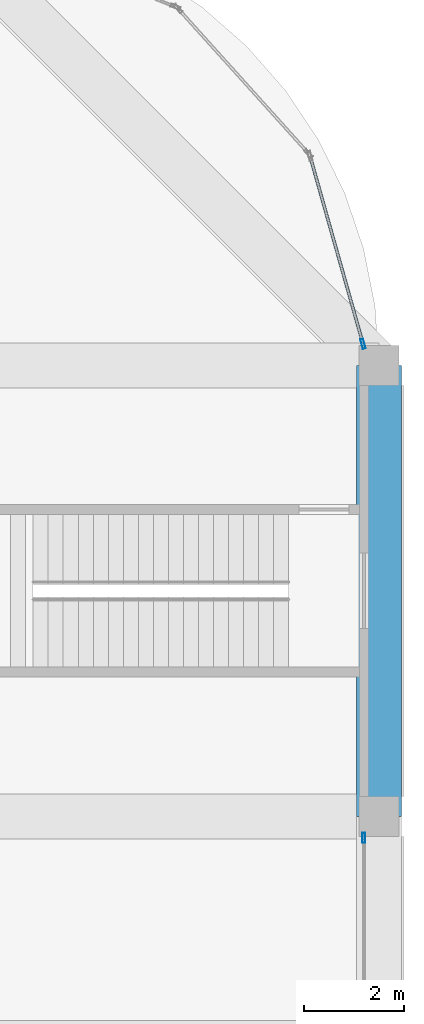
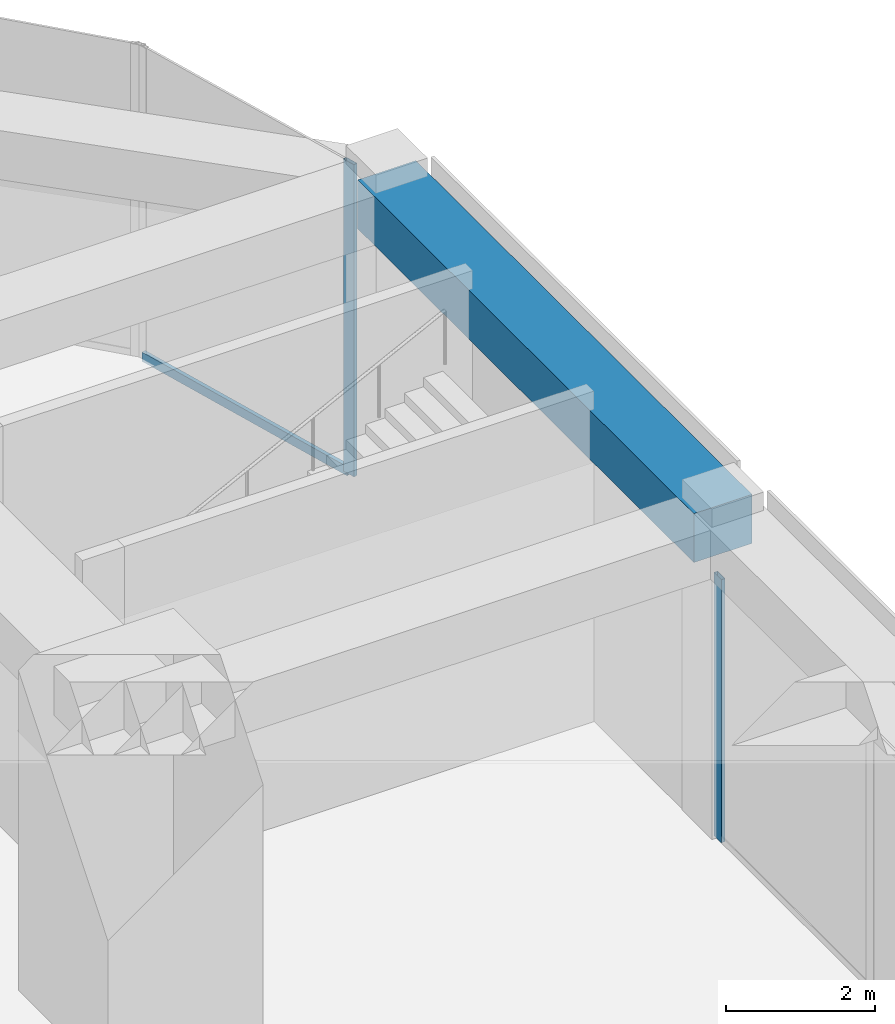
# One storey, part 37 of 45: 3 members, 1 beam, 2 elements without a shape of their own.
"""IFC4 building model written with IfcOpenShell, lengths in metres."""

from ifc_helpers import new_model, si_unit, direction, frame, origin, origin_2d, place, context, subcontext, project, spatial, rectangle, hollow_rectangle, extrude, material, material_profile, profile_set, type_object, element, aggregate, save


model = new_model("IFC4")

# Units and contexts
model_context = context("Model", 3, precision=1e-05, world=origin(), true_north=direction((0.0, 1.0)))
body_context = subcontext(model_context, "Body", "Model", "MODEL_VIEW")
ifc_project = project(units=[si_unit("LENGTHUNIT", "METRE"), si_unit("AREAUNIT", "SQUARE_METRE"), si_unit("VOLUMEUNIT", "CUBIC_METRE"), si_unit("PLANEANGLEUNIT", "RADIAN"), si_unit("MASSUNIT", "GRAM", prefix="KILO")], contexts=[model_context])

# Site, building, storey
site_placement = place(None, origin())
site = spatial("IfcSite", under=ifc_project, at=site_placement, CompositionType="ELEMENT")
building_placement = place(site_placement, origin())
building = spatial("IfcBuilding", under=site, at=building_placement, Name="Zorevar Civic Tower", CompositionType="ELEMENT")
storey_placement = place(building_placement, frame((0.0, 0.0, 5.39990234375)))
storey = spatial("IfcBuildingStorey", under=building, at=storey_placement, Name="L01", CompositionType="ELEMENT", Elevation=5.39990234375)

# Curtain wall, member
ifc_material_1 = material(Name="Dark grey solar-control glass in black aluminium frame", Category="aluminium")
curtain_wall_type = type_object("IfcCurtainWallType", Name="Curtain wall CW1 podium", PredefinedType="NOTDEFINED", material=ifc_material_1)
curtain_wall_1_placement = place(storey_placement, origin())
curtain_wall_1 = element("IfcCurtainWall", 1, at=curtain_wall_1_placement, inside=storey, type_object=curtain_wall_type, Name="CW1 L01", PredefinedType="NOTDEFINED")
ifc_material_2 = material(Name="Aluminium, black anodised", Category="aluminium")
ifc_material_profile_1 = material_profile(ifc_material_2, hollow_rectangle(XDim=0.06005859375, YDim=0.199951171875, WallThickness=0.00390625, at=origin_2d()), Name="AL 200x60x4")
ifc_profile_set_1 = profile_set([ifc_material_profile_1], Name="Aluminium, black anodised")
member_type_1 = type_object("IfcMemberType", Name="CW1 mullion AL 200x60x4", PredefinedType="MULLION", material=ifc_profile_set_1)
member_1_placement = place(storey_placement, frame((71.699951171875, 35.570068359375, 0.0), z_axis=(0.0, 0.0, 1.0), x_axis=(-1.0, 0.0, 0.0)))
member_1 = element("IfcMember", 2, at=member_1_placement, type_object=member_type_1, Name="CW1 mullion 3", PredefinedType="MULLION", context=body_context, shape_type="SweptSolid", body=[
    extrude(hollow_rectangle(XDim=0.06005859375, YDim=0.199951171875, WallThickness=0.00390625, at=origin_2d()), origin(), (0.0, 0.0, 1.0), 4.300048828125),
])
aggregate(curtain_wall_1, [member_1])

# Curtain wall, members
curtain_wall_2_placement = place(storey_placement, origin())
curtain_wall_2 = element("IfcCurtainWall", 3, at=curtain_wall_2_placement, inside=storey, type_object=curtain_wall_type, Name="CW1 L01", PredefinedType="NOTDEFINED")
member_2_placement = place(storey_placement, frame((71.6826171875, 45.428955078125, 0.0), z_axis=(0.0, 0.0, 1.0), x_axis=(-0.962390725943, -0.271669082929, 0.0)))
member_2 = element("IfcMember", 4, at=member_2_placement, type_object=member_type_1, Name="CW1 mullion 1", PredefinedType="MULLION", context=body_context, shape_type="SweptSolid", body=[
    extrude(hollow_rectangle(XDim=0.06005859375, YDim=0.199951171875, WallThickness=0.00390625, at=origin_2d()), origin(), (0.0, 0.0, 1.0), 5.10009765625),
])
ifc_material_3 = material(Name="Aluminium, black anodised", Category="aluminium")
ifc_material_profile_2 = material_profile(ifc_material_3, hollow_rectangle(XDim=0.06005859375, YDim=0.14990234375, WallThickness=0.00390625, at=origin_2d()), Name="AL 150x60x4")
ifc_profile_set_2 = profile_set([ifc_material_profile_2], Name="Aluminium, black anodised")
member_type_2 = type_object("IfcMemberType", Name="CW1 transom AL 150x60x4", PredefinedType="USERDEFINED", material=ifc_profile_set_2)
member_3_placement = place(storey_placement, frame((71.67431640625, 45.457763671875, 0.030029296875), z_axis=(-0.271656874729, 0.962394172059, 0.0), x_axis=(-0.962394172059, -0.271656874729, 0.0)))
member_3 = element("IfcMember", 5, at=member_3_placement, type_object=member_type_2, Name="CW1 sill transom", ObjectType="TRANSOM", PredefinedType="USERDEFINED", context=body_context, shape_type="SweptSolid", body=[
    extrude(hollow_rectangle(XDim=0.06005859375, YDim=0.14990234375, WallThickness=0.00390625, at=origin_2d()), origin(), (0.0, 0.0, 1.0), 3.83203125),
])
aggregate(curtain_wall_2, [member_2, member_3])

# Beam
ifc_material_4 = material(Name="Concrete C50/60", Category="concrete")
ifc_material_profile_3 = material_profile(ifc_material_4, rectangle(XDim=0.89990234375, YDim=0.800048828125, at=origin_2d()), Name="RC 900x800")
ifc_profile_set_3 = profile_set([ifc_material_profile_3], Name="Concrete C50/60")
beam_type = type_object("IfcBeamType", Name="Edge beam RC 900x800", PredefinedType="SPANDREL", material=ifc_profile_set_3)
beam_placement = place(storey_placement, frame((72.0, 36.0, 4.7001953125), z_axis=(0.0, 1.0, 0.0), x_axis=(-1.0, 0.0, 0.0)))
element("IfcBeam", 6, at=beam_placement, inside=storey, type_object=beam_type, Name="Edge beam L02", PredefinedType="SPANDREL", context=body_context, shape_type="SweptSolid", body=[
    extrude(rectangle(XDim=0.89990234375, YDim=0.800048828125, at=origin_2d()), origin(), (0.0, 0.0, 1.0), 9.0),
])

save(model, "model.ifc")
